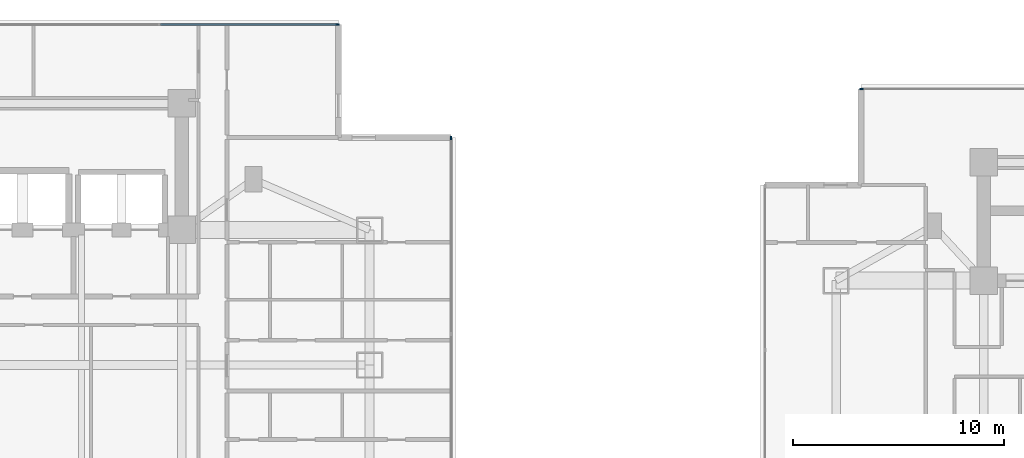
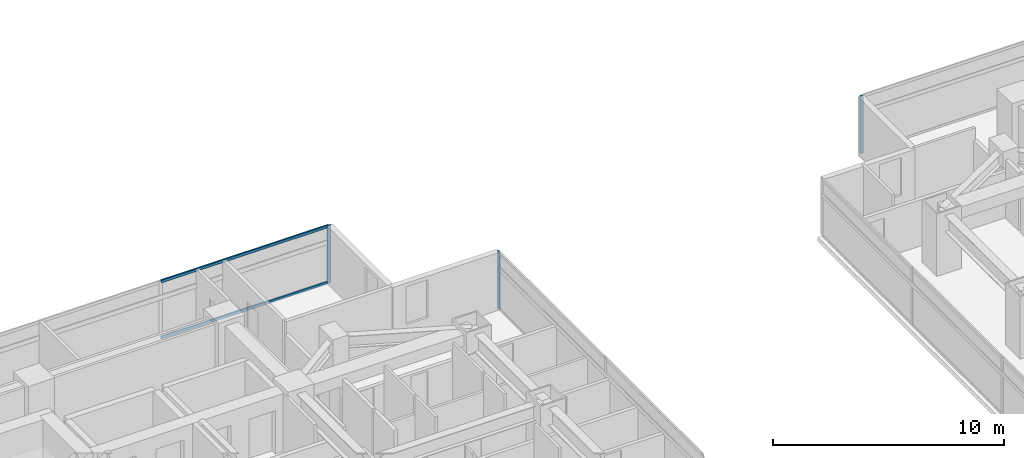
# One storey, part 8 of 24: 5 members, 3 elements without a shape of their own.
"""IFC4 building model written with IfcOpenShell, lengths in metres."""

from ifc_helpers import new_model, si_unit, direction, frame, origin, origin_2d, place, context, subcontext, project, spatial, rectangle, extrude, material, material_profile, profile_set, type_object, element, aggregate, save


model = new_model("IFC4")

# Units and contexts
model_context = context("Model", 3, precision=1e-05, world=origin(), true_north=direction((0.0, 1.0)))
body_context = subcontext(model_context, "Body", "Model", "MODEL_VIEW")
ifc_project = project(units=[si_unit("LENGTHUNIT", "METRE"), si_unit("AREAUNIT", "SQUARE_METRE"), si_unit("VOLUMEUNIT", "CUBIC_METRE"), si_unit("PLANEANGLEUNIT", "RADIAN"), si_unit("MASSUNIT", "GRAM", prefix="KILO")], contexts=[model_context])

# Site, building, storey
site_placement = place(None, origin())
site = spatial("IfcSite", under=ifc_project, at=site_placement, CompositionType="ELEMENT")
building_placement = place(site_placement, origin())
building = spatial("IfcBuilding", under=site, at=building_placement, Name="Mirazonda Arch Towers", CompositionType="ELEMENT")
storey_placement = place(building_placement, frame((0.0, 0.0, 71.89990234375)))
storey = spatial("IfcBuildingStorey", under=building, at=storey_placement, Name="L20", CompositionType="ELEMENT", Elevation=71.89990234375)

# Curtain wall, member
ifc_material_1 = material(Name="Anodised Aluminium and Low-E Glass", Category="aluminium")
curtain_wall_type = type_object("IfcCurtainWallType", Name="CW-HTL-UNIT", PredefinedType="NOTDEFINED", material=ifc_material_1)
curtain_wall_1_placement = place(storey_placement, origin())
curtain_wall_1 = element("IfcCurtainWall", 1, at=curtain_wall_1_placement, inside=storey, type_object=curtain_wall_type, Name="L20 T1 E Facade CW-L20-T1-E", PredefinedType="NOTDEFINED")
ifc_material_2 = material(Name="Anodised Aluminium Alloy", Category="aluminium")
ifc_material_profile_1 = material_profile(ifc_material_2, rectangle(XDim=0.074951171875, YDim=0.1650390625, at=origin_2d()), Name="ALU-MULL-75x165")
ifc_profile_set_1 = profile_set([ifc_material_profile_1], Name="Anodised Aluminium Alloy")
member_type_1 = type_object("IfcMemberType", Name="MULL-CW-HTL-UNIT", PredefinedType="MULLION", material=ifc_profile_set_1)
member_1_placement = place(storey_placement, frame((42.760009765625, 41.950439453125, 0.0), z_axis=(0.0, 0.0, 1.0), x_axis=(-1.0, 0.0, 0.0)))
member_1 = element("IfcMember", 2, at=member_1_placement, type_object=member_type_1, Name="CW-112 mullion 4", PredefinedType="MULLION", context=body_context, shape_type="SweptSolid", body=[
    extrude(rectangle(XDim=0.074951171875, YDim=0.1650390625, at=origin_2d()), origin(), (0.0, 0.0, 1.0), 3.0400390625),
])
aggregate(curtain_wall_1, [member_1])

curtain_wall_2_placement = place(storey_placement, origin())
curtain_wall_2 = element("IfcCurtainWall", 3, at=curtain_wall_2_placement, inside=storey, type_object=curtain_wall_type, Name="L20 T1 N Facade CW-L20-T1-N", PredefinedType="NOTDEFINED")
member_2_placement = place(storey_placement, frame((37.382568359375, 47.327880859375, 0.0), z_axis=(0.0, 0.0, 1.0), x_axis=(0.0, 1.0, 0.0)))
member_2 = element("IfcMember", 4, at=member_2_placement, type_object=member_type_1, Name="CW-112 mullion 5", PredefinedType="MULLION", context=body_context, shape_type="SweptSolid", body=[
    extrude(rectangle(XDim=0.074951171875, YDim=0.1650390625, at=origin_2d()), origin(), (0.0, 0.0, 1.0), 3.0400390625),
])

curtain_wall_3_placement = place(storey_placement, origin())
curtain_wall_3 = element("IfcCurtainWall", 5, at=curtain_wall_3_placement, inside=storey, type_object=curtain_wall_type, Name="L20 Curtain Wall CW-L20-T2-NA", PredefinedType="NOTDEFINED")
member_3_placement = place(storey_placement, frame((62.215576171875, 44.27587890625, 0.0), z_axis=(0.0, 0.0, 1.0), x_axis=(0.0, 1.0, 0.0)))
member_3 = element("IfcMember", 6, at=member_3_placement, type_object=member_type_1, Name="CW-112 mullion 1", PredefinedType="MULLION", context=body_context, shape_type="SweptSolid", body=[
    extrude(rectangle(XDim=0.074951171875, YDim=0.1650390625, at=origin_2d()), origin(), (0.0, 0.0, 1.0), 3.0400390625),
])
aggregate(curtain_wall_3, [member_3])

# Member
ifc_material_profile_2 = material_profile(ifc_material_2, rectangle(XDim=0.074951171875, YDim=0.14501953125, at=origin_2d()), Name="ALU-TRAN-75x145")
ifc_profile_set_2 = profile_set([ifc_material_profile_2], Name="Anodised Aluminium Alloy")
member_type_2 = type_object("IfcMemberType", Name="TRAN-CW-HTL-UNIT", PredefinedType="USERDEFINED", material=ifc_profile_set_2)
member_4_placement = place(storey_placement, frame((28.99755859375, 47.327880859375, 0.03759765625), z_axis=(1.0, 0.0, 0.0), x_axis=(0.0, 1.0, 0.0)))
member_4 = element("IfcMember", 7, at=member_4_placement, type_object=member_type_2, Name="CW-112 transom 4.1", ObjectType="TRANSOM", PredefinedType="USERDEFINED", context=body_context, shape_type="SweptSolid", body=[
    extrude(rectangle(XDim=0.074951171875, YDim=0.14501953125, at=origin_2d()), origin(), (0.0, 0.0, 1.0), 8.347412109375),
])

member_5_placement = place(storey_placement, frame((28.99755859375, 47.327880859375, 3.002685546875), z_axis=(1.0, 0.0, 0.0), x_axis=(0.0, 1.0, 0.0)))
member_5 = element("IfcMember", 8, at=member_5_placement, type_object=member_type_2, Name="CW-112 transom 4.2", ObjectType="TRANSOM", PredefinedType="USERDEFINED", context=body_context, shape_type="SweptSolid", body=[
    extrude(rectangle(XDim=0.074951171875, YDim=0.14501953125, at=origin_2d()), origin(), (0.0, 0.0, 1.0), 8.347412109375),
])

aggregate(curtain_wall_2, [member_2, member_4, member_5])

save(model, "model.ifc")
